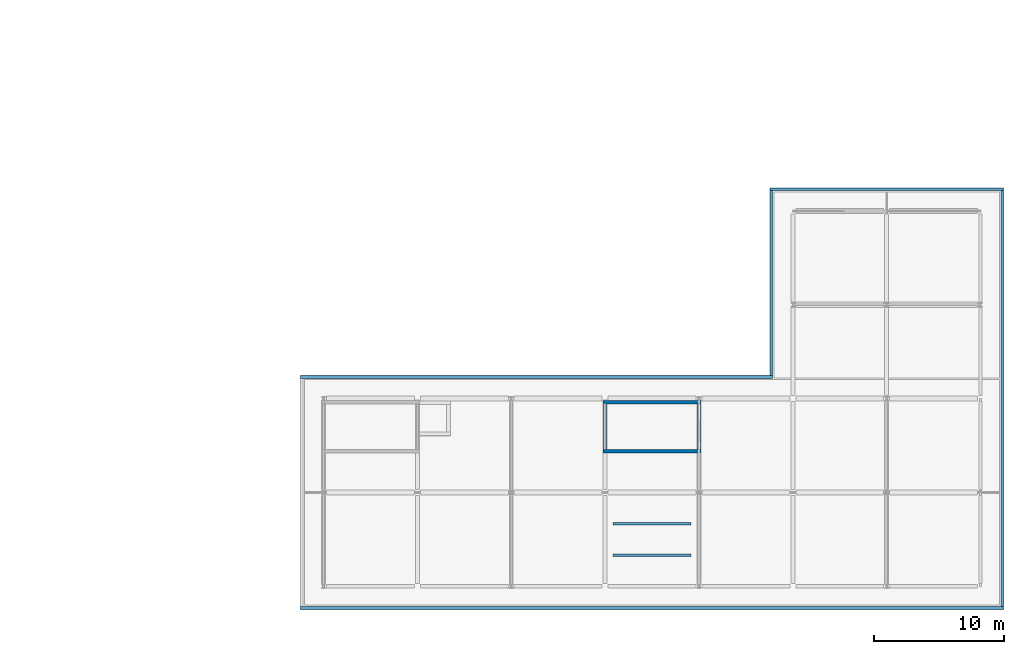
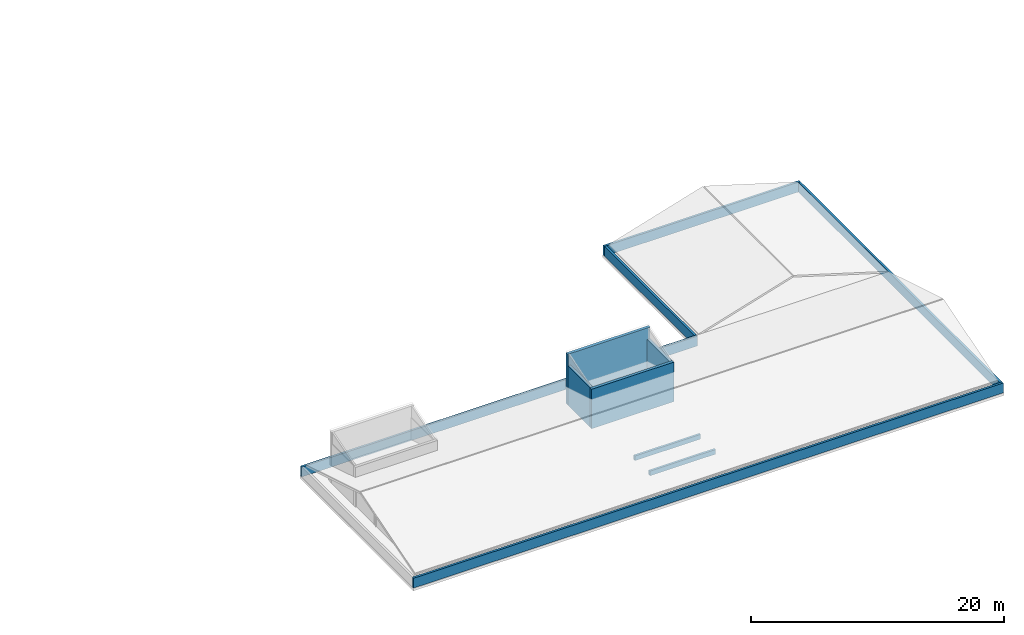
# One storey, part 32 of 45: 11 walls.
"""IFC4 building model written with IfcOpenShell, lengths in metres."""

from ifc_helpers import new_model, si_unit, direction, frame, frame_2d, origin, place, context, subcontext, project, spatial, rectangle, extrude, material, layer, layer_set, type_object, element, save


model = new_model("IFC4")

# Units and contexts
model_context = context("Model", 3, precision=1e-05, world=origin(), true_north=direction((0.0, 1.0)))
body_context = subcontext(model_context, "Body", "Model", "MODEL_VIEW")
ifc_project = project(units=[si_unit("LENGTHUNIT", "METRE"), si_unit("AREAUNIT", "SQUARE_METRE"), si_unit("VOLUMEUNIT", "CUBIC_METRE"), si_unit("PLANEANGLEUNIT", "RADIAN"), si_unit("MASSUNIT", "GRAM", prefix="KILO")], contexts=[model_context])

# Site, building, storey
site_placement = place(None, origin())
site = spatial("IfcSite", under=ifc_project, at=site_placement, CompositionType="ELEMENT")
building_placement = place(site_placement, origin())
building = spatial("IfcBuilding", under=site, at=building_placement, Name="Suanplinth Sawtooth Commons", CompositionType="ELEMENT")
storey_placement = place(building_placement, frame((0.0, 0.0, 38.0)))
storey = spatial("IfcBuildingStorey", under=building, at=storey_placement, Name="L11", CompositionType="ELEMENT", Elevation=38.0)

# Walls
ifc_material = material(Name="Precast concrete C40/50", Category="concrete")
ifc_layer_1 = layer(ifc_material, 0.199951171875, Name="Roof perimeter precast parapet wall 200mm")
ifc_layer_set_1 = layer_set([ifc_layer_1], Name="Precast concrete C40/50")
wall_type_1 = type_object("IfcWallType", Name="W-PR01", PredefinedType="PARAPET", material=ifc_layer_set_1)
wall_1_placement = place(storey_placement, frame((188.9599609375, -1.659912109375, 0.0), z_axis=(0.0, 0.0, 1.0), x_axis=(-1.0, 0.0, 0.0)))
element("IfcWall", 1, at=wall_1_placement, inside=storey, type_object=wall_type_1, Name="L11 Block C Overhanging Roof Edge Parapet 1", PredefinedType="PARAPET", context=body_context, shape_type="SweptSolid", body=[
    extrude(rectangle(XDim=53.919921875, YDim=0.199951171875, at=frame_2d((26.9599609375, 0.0))), origin(), (0.0, 0.0, 1.0), 0.949951171875),
])
wall_2_placement = place(storey_placement, frame((135.0400390625, 16.06005859375, 0.0), z_axis=(0.0, 0.0, 1.0), x_axis=(1.0, 0.0, 0.0)))
element("IfcWall", 2, at=wall_2_placement, inside=storey, type_object=wall_type_1, Name="L11 Block C Overhanging Roof Edge Parapet 3", PredefinedType="PARAPET", context=body_context, shape_type="SweptSolid", body=[
    extrude(rectangle(XDim=36.199951171875, YDim=0.199951171875, at=frame_2d((18.10009765625, 0.0))), origin(), (0.0, 0.0, 1.0), 0.949951171875),
])
wall_3_placement = place(storey_placement, frame((171.139892578125, 16.159912109375, 0.0), z_axis=(0.0, 0.0, 1.0), x_axis=(0.0, 1.0, 0.0)))
element("IfcWall", 3, at=wall_3_placement, inside=storey, type_object=wall_type_1, Name="L11 Block C Overhanging Roof Edge Parapet 4", PredefinedType="PARAPET", context=body_context, shape_type="SweptSolid", body=[
    extrude(rectangle(XDim=14.2001953125, YDim=0.199951171875, at=frame_2d((7.10009765625, 0.0))), origin(), (0.0, 0.0, 1.0), 0.949951171875),
])
wall_4_placement = place(storey_placement, frame((171.0400390625, 30.4599609375, 0.0), z_axis=(0.0, 0.0, 1.0), x_axis=(1.0, 0.0, 0.0)))
element("IfcWall", 4, at=wall_4_placement, inside=storey, type_object=wall_type_1, Name="L11 Block C Overhanging Roof Edge Parapet 5", PredefinedType="PARAPET", context=body_context, shape_type="SweptSolid", body=[
    extrude(rectangle(XDim=17.919921875, YDim=0.199951171875, at=frame_2d((8.9599609375, 0.0))), origin(), (0.0, 0.0, 1.0), 0.949951171875),
])
wall_5_placement = place(storey_placement, frame((188.860107421875, 30.360107421875, 0.0), z_axis=(0.0, 0.0, 1.0), x_axis=(0.0, -1.0, 0.0)))
element("IfcWall", 5, at=wall_5_placement, inside=storey, type_object=wall_type_1, Name="L11 Block C Overhanging Roof Edge Parapet 6", PredefinedType="PARAPET", context=body_context, shape_type="SweptSolid", body=[
    extrude(rectangle(XDim=31.920166015625, YDim=0.199951171875, at=frame_2d((15.9599609375, 0.0))), origin(), (0.0, 0.0, 1.0), 0.949951171875),
])
for number, where, z_axis, x_axis, name in (
    (6, (159.0, 2.39990234375, 0.0), (0.0, 0.0, 1.0), (1.0, 0.0, 0.0), "L11 Block C Roof Solar Upstand Kerb 1"),
    (7, (159.0, 4.800048828125, 0.0), (0.0, 0.0, 1.0), (1.0, 0.0, 0.0), "L11 Block C Roof Solar Upstand Kerb 2"),
):
    element("IfcWall", number, at=place(storey_placement, frame(where, z_axis=z_axis, x_axis=x_axis)), inside=storey, type_object=wall_type_1, Name=name, PredefinedType="PARAPET", context=body_context, shape_type="SweptSolid", body=[
        extrude(rectangle(XDim=6.0, YDim=0.199951171875, at=frame_2d((3.0, 0.0))), origin(), (0.0, 0.0, 1.0), 0.449951171875),
    ])
ifc_layer_2 = layer(ifc_material, 0.27001953125, Name="Exterior lift-overrun structural shear wall 270mm")
ifc_layer_set_2 = layer_set([ifc_layer_2], Name="Precast concrete C40/50")
wall_type_2 = type_object("IfcWallType", Name="W-SH02", PredefinedType="SHEAR", material=ifc_layer_set_2)
wall_6_placement = place(storey_placement, frame((158.235107421875, 10.3701171875, 0.0), z_axis=(0.0, 0.0, 1.0), x_axis=(1.0, 0.0, 0.0)))
element("IfcWall", 8, at=wall_6_placement, inside=storey, type_object=wall_type_2, Name="Stair ST-S2 Headhouse Wall S", PredefinedType="SHEAR", context=body_context, shape_type="SweptSolid", body=[
    extrude(rectangle(XDim=7.52978515625, YDim=0.27001953125, at=frame_2d((3.764892578125, 0.0))), origin(), (0.0, 0.0, 1.0), 3.820068359375),
])
wall_7_placement = place(storey_placement, frame((158.235107421875, 14.1298828125, 0.0), z_axis=(0.0, 0.0, 1.0), x_axis=(1.0, 0.0, 0.0)))
element("IfcWall", 9, at=wall_7_placement, inside=storey, type_object=wall_type_2, Name="Stair ST-S2 Headhouse Wall N", PredefinedType="SHEAR", context=body_context, shape_type="SweptSolid", body=[
    extrude(rectangle(XDim=7.52978515625, YDim=0.27001953125, at=frame_2d((3.764892578125, 0.0))), origin(), (0.0, 0.0, 1.0), 4.919921875),
])
for number, where, z_axis, x_axis, name in (
    (10, (158.3701171875, 10.5048828125, 0.0), (0.0, 0.0, 1.0), (0.0, 1.0, 0.0), "Stair ST-S2 Headhouse Wall W"),
    (11, (165.6298828125, 10.5048828125, 0.0), (0.0, 0.0, 1.0), (0.0, 1.0, 0.0), "Stair ST-S2 Headhouse Wall E"),
):
    element("IfcWall", number, at=place(storey_placement, frame(where, z_axis=z_axis, x_axis=x_axis)), inside=storey, type_object=wall_type_2, Name=name, PredefinedType="SHEAR", context=body_context, shape_type="SweptSolid", body=[
        extrude(rectangle(XDim=3.490234375, YDim=0.27001953125, at=frame_2d((1.7451171875, 0.0))), origin(), (0.0, 0.0, 1.0), 3.820068359375),
    ])

save(model, "model.ifc")
